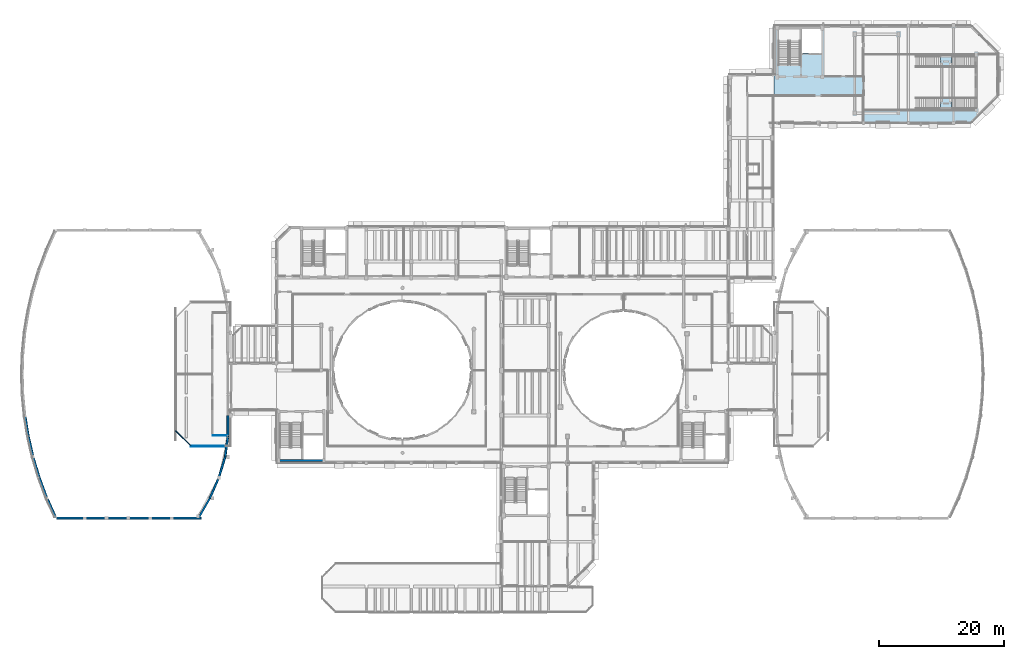
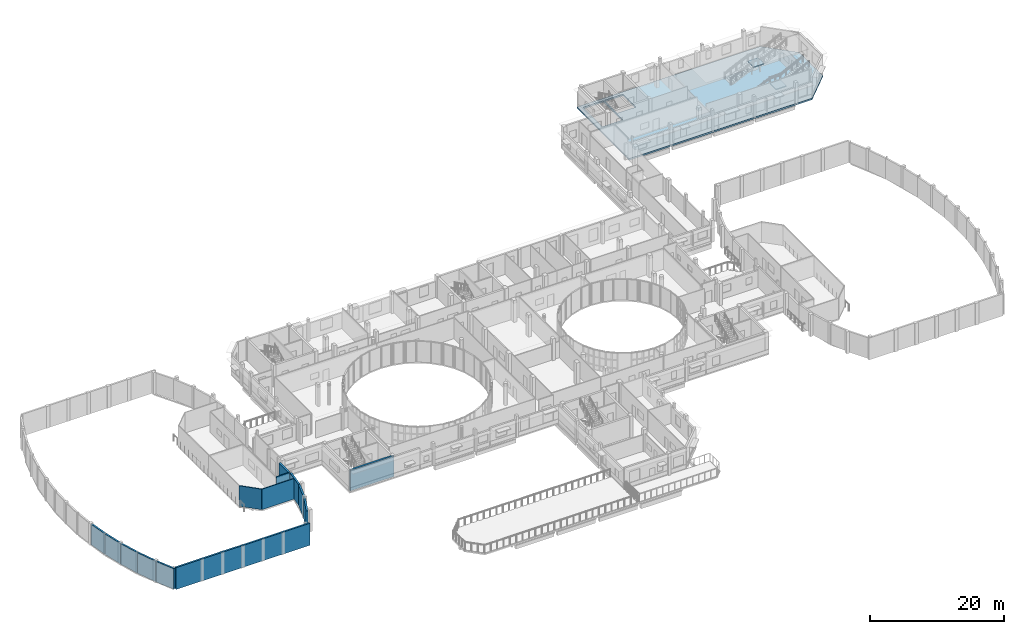
# One storey, part 64 of 92: 15 walls, 3 slabs, 2 elements without a shape of their own.
"""IFC4 building model written with IfcOpenShell, lengths in metres."""

import ifcopenshell
import ifcopenshell.guid

model = None  # the IFC model being written
_history = None  # IfcOwnerHistory: only IFC2X3 demands one
_inside = {}  # id of a spatial element -> (the spatial element, [elements in it])
_under = {}  # id of a project, library or spatial element -> (it, [spatial elements below it])
_declared = {}  # id of a project -> (the project, [libraries it declares])
_typed = {}  # id of a type object -> (the type object, [elements of that type])
_made_of = {}  # id of a material, layer set ... -> (it, [elements and type objects made of it])


def new_model(schema):
    """Start an empty IFC model of exactly this schema.

    Asked for "IFC4X3", IfcOpenShell would pick the latest addendum, in which some entities
    have other attributes; the version numbers below select the first issue.
    IFC2X3 requires an IfcOwnerHistory on every rooted entity: one is made here for all.
    """
    global model, _history
    if schema == "IFC4X3":
        model = ifcopenshell.file(schema_version=(4, 3, 0, 0))
    else:
        model = ifcopenshell.file(schema=schema)
    _inside.clear()
    _under.clear()
    _declared.clear()
    _typed.clear()
    _made_of.clear()
    _history = None
    if model.schema == "IFC2X3":
        org = make("IfcOrganization", Name="unknown")
        user = make(
            "IfcPersonAndOrganization",
            ThePerson=make("IfcPerson", FamilyName="unknown"),
            TheOrganization=org,
        )
        app = make(
            "IfcApplication",
            ApplicationDeveloper=org,
            Version="unknown",
            ApplicationFullName="unknown",
            ApplicationIdentifier="unknown",
        )
        _history = make(
            "IfcOwnerHistory",
            OwningUser=user,
            OwningApplication=app,
            ChangeAction="ADDED",
            CreationDate=0,
        )
    return model


def make(cls, **values):
    """One entity of the class cls with the attributes given. An attribute that is None is left unset."""
    return model.create_entity(
        cls, **{name: value for name, value in values.items() if value is not None}
    )


def rooted(cls, **values):
    """An entity with a GlobalId (a new one), such as an element, a storey or a relation."""
    return make(cls, GlobalId=ifcopenshell.guid.new(), OwnerHistory=_history, **values)


def si_unit(unit_type, name, prefix=None):
    """IfcSIUnit, for example si_unit("LENGTHUNIT", "METRE", prefix="MILLI")."""
    return make("IfcSIUnit", UnitType=unit_type, Prefix=prefix, Name=name)


def assignment(units):
    """IfcUnitAssignment: the units of a project."""
    return None if units is None else make("IfcUnitAssignment", Units=units)


def point(xyz):
    """IfcCartesianPoint."""
    return None if xyz is None else make("IfcCartesianPoint", Coordinates=xyz)


def direction(xyz):
    """IfcDirection."""
    return None if xyz is None else make("IfcDirection", DirectionRatios=xyz)


def frame(location, z_axis=None, x_axis=None):
    """IfcAxis2Placement3D, a coordinate frame: its origin and axes. An axis left out is left unset."""
    return make(
        "IfcAxis2Placement3D",
        Location=point(location),
        Axis=direction(z_axis),
        RefDirection=direction(x_axis),
    )


def frame_2d(location, x_axis=None):
    """IfcAxis2Placement2D, a coordinate frame in the plane: its origin and x axis."""
    return make(
        "IfcAxis2Placement2D", Location=point(location), RefDirection=direction(x_axis)
    )


def origin():
    """The frame at (0, 0, 0) with its axes left unset."""
    return frame((0.0, 0.0, 0.0))


def place(relative_to, where):
    """IfcLocalPlacement: puts the frame where relative to a parent placement (None: the world)."""
    return make(
        "IfcLocalPlacement", PlacementRelTo=relative_to, RelativePlacement=where
    )


def context(
    kind, dimensions, precision=None, world=None, true_north=None, identifier=None
):
    """IfcGeometricRepresentationContext, for example the 3D "Model" context."""
    return make(
        "IfcGeometricRepresentationContext",
        ContextIdentifier=identifier,
        ContextType=kind,
        CoordinateSpaceDimension=dimensions,
        Precision=precision,
        WorldCoordinateSystem=world,
        TrueNorth=true_north,
    )


def subcontext(parent, identifier, kind, view, scale=None):
    """IfcGeometricRepresentationSubContext, for example "Body" below "Model"."""
    return make(
        "IfcGeometricRepresentationSubContext",
        ContextIdentifier=identifier,
        ContextType=kind,
        ParentContext=parent,
        TargetScale=scale,
        TargetView=view,
    )


def project(units=None, contexts=None):
    """IfcProject with its units and contexts."""
    return rooted(
        "IfcProject",
        Name="project",
        RepresentationContexts=contexts,
        UnitsInContext=assignment(units),
    )


def spatial(cls, under=None, at=None, **own):
    """A site, building, storey or space (cls), placed at a placement, below another one or the project."""
    s = rooted(cls, ObjectPlacement=at, **own)
    if under is not None:
        _under.setdefault(under.id(), (under, []))[1].append(s)
    return s


def polyline(points):
    """IfcPolyline through the points."""
    return make("IfcPolyline", Points=[point(p) for p in points])


def profile(cls, at=None, kind="AREA", **sizes):
    """A parametric profile (cls). Its sizes go by their IFC names, for example OverallWidth=200.0."""
    return make(cls, ProfileType=kind, Position=at, **sizes)


def rectangle(**sizes):
    """IfcRectangleProfileDef."""
    return profile("IfcRectangleProfileDef", **sizes)


def outline(outer, holes=None, kind="AREA"):
    """IfcArbitraryClosedProfileDef: a profile drawn as a closed curve; with holes, ...WithVoids."""
    if holes is None:
        return make("IfcArbitraryClosedProfileDef", ProfileType=kind, OuterCurve=outer)
    return make(
        "IfcArbitraryProfileDefWithVoids",
        ProfileType=kind,
        OuterCurve=outer,
        InnerCurves=holes,
    )


def extrude(swept, where, along, depth):
    """IfcExtrudedAreaSolid: the profile swept, set in the frame where, extruded along a direction by depth."""
    return make(
        "IfcExtrudedAreaSolid",
        SweptArea=swept,
        Position=where,
        ExtrudedDirection=direction(along),
        Depth=depth,
    )


def shape(context_of_items, identifier, shape_type, items):
    """IfcShapeRepresentation: the items that make up one representation, for example the "Body"."""
    return make(
        "IfcShapeRepresentation",
        ContextOfItems=context_of_items,
        RepresentationIdentifier=identifier,
        RepresentationType=shape_type,
        Items=items,
    )


def material(Name=None, Category=None):
    """IfcMaterial."""
    return make("IfcMaterial", Name=Name, Category=Category)


def layer(
    of_material, thickness, ventilated=None, Name=None, Category=None, Priority=None
):
    """IfcMaterialLayer: one layer of a wall or slab, of a material (None: an air gap)."""
    return make(
        "IfcMaterialLayer",
        Material=of_material,
        LayerThickness=thickness,
        IsVentilated=ventilated,
        Name=Name,
        Category=Category,
        Priority=Priority,
    )


def layer_set(layers, Name=None):
    """IfcMaterialLayerSet."""
    return make("IfcMaterialLayerSet", MaterialLayers=layers, LayerSetName=Name)


def made_of(thing, what):
    """Note that an element or type object is made of a material, layer set ...; save() writes the relation."""
    if what is not None:
        _made_of.setdefault(what.id(), (what, []))[1].append(thing)
    return thing


def type_object(cls, material=None, **own):
    """A type object (cls), such as IfcWallType, which elements share."""
    return made_of(rooted(cls, **own), material)


def element(
    cls,
    number,
    at=None,
    inside=None,
    cuts=None,
    type_object=None,
    material=None,
    context=None,
    identifier="Body",
    shape_type=None,
    held_by="IfcProductDefinitionShape",
    body=None,
    shapes=None,
    **own,
):
    """One element of the class cls, such as IfcWall. Its Tag is "e" and its number.

    at: its placement. inside: the storey or other place that contains it. cuts: it is an
    opening in that element (IfcRelVoidsElement). A single representation is given by context,
    identifier, shape_type and body (its items); several are given by shapes. held_by: the class
    of the entity that holds the representations. save() writes the other relations.
    """
    e = rooted(cls, Tag="e%d" % number, ObjectPlacement=at, **own)
    if body is not None:
        shapes = [shape(context, identifier, shape_type, body)]
    if shapes is not None:
        e.Representation = make(held_by, Representations=shapes)
    if inside is not None:
        _inside.setdefault(inside.id(), (inside, []))[1].append(e)
    if cuts is not None:
        rooted(
            "IfcRelVoidsElement", RelatingBuildingElement=cuts, RelatedOpeningElement=e
        )
    if type_object is not None:
        _typed.setdefault(type_object.id(), (type_object, []))[1].append(e)
    return made_of(e, material)


def aggregate(whole, parts):
    """IfcRelAggregates: a whole, such as a stair, and the parts it consists of."""
    return rooted("IfcRelAggregates", RelatingObject=whole, RelatedObjects=parts)


def save(model, path):
    """Write the relations noted so far, then the file.

    IfcRelAggregates (storeys below a building ...), IfcRelContainedInSpatialStructure (elements
    in a storey), IfcRelDefinesByType, IfcRelAssociatesMaterial and IfcRelDeclares: one each for
    every whole, place, type object, material and project.
    """
    for whole, parts in _under.values():
        aggregate(whole, parts)
    for where, things in _inside.values():
        rooted(
            "IfcRelContainedInSpatialStructure",
            RelatedElements=things,
            RelatingStructure=where,
        )
    for kind, things in _typed.values():
        rooted("IfcRelDefinesByType", RelatedObjects=things, RelatingType=kind)
    for what, things in _made_of.values():
        rooted("IfcRelAssociatesMaterial", RelatedObjects=things, RelatingMaterial=what)
    for by, libraries in _declared.values():
        rooted("IfcRelDeclares", RelatingContext=by, RelatedDefinitions=libraries)
    model.write(path)


model = new_model("IFC4")

# Units and contexts
model_context = context("Model", 3, precision=1e-05, world=origin(), true_north=direction((0.0, 1.0)))
body_context = subcontext(model_context, "Body", "Model", "MODEL_VIEW")
ifc_project = project(units=[si_unit("LENGTHUNIT", "METRE"), si_unit("AREAUNIT", "SQUARE_METRE"), si_unit("VOLUMEUNIT", "CUBIC_METRE"), si_unit("PLANEANGLEUNIT", "RADIAN"), si_unit("MASSUNIT", "GRAM", prefix="KILO")], contexts=[model_context])

# Site, building, storey
site_placement = place(None, origin())
site = spatial("IfcSite", under=ifc_project, at=site_placement, CompositionType="ELEMENT")
building_placement = place(site_placement, origin())
building = spatial("IfcBuilding", under=site, at=building_placement, Name="Kelanivale Promenade Academy", CompositionType="ELEMENT")
storey_placement = place(building_placement, frame((0.0, 0.0, 8.199951171875)))
storey = spatial("IfcBuildingStorey", under=building, at=storey_placement, Name="L02", CompositionType="ELEMENT", Elevation=8.199951171875)

# Slab
ifc_material_1 = material(Name="Concrete C35/45", Category="concrete")
ifc_layer_1 = layer(ifc_material_1, 0.280029296875)
ifc_layer_set_1 = layer_set([ifc_layer_1], Name="Concrete C35/45")
slab_type_1 = type_object("IfcSlabType", Name="FS-03 Slab 280mm", PredefinedType="FLOOR", material=ifc_layer_set_1)
slab_1_placement = place(storey_placement, frame((0.0, 0.0, -0.280029296875)))
element("IfcSlab", 1, at=slab_1_placement, inside=storey, type_object=slab_type_1, Name="L02 structural slab SLB-L02-V5M", PredefinedType="FLOOR", context=body_context, shape_type="SweptSolid", body=[
    extrude(outline(polyline([(154.43310546875, 96.39990234375), (158.800048828125, 100.76708984375), (158.800048828125, 107.633056640625), (154.43310546875, 112.0), (122.85009765625, 112.0), (122.85009765625, 96.39990234375), (154.43310546875, 96.39990234375)]), holes=[polyline([(130.43505859375, 107.574951171875), (127.284912109375, 107.574951171875), (127.284912109375, 111.43505859375), (130.43505859375, 111.43505859375), (130.43505859375, 107.574951171875)]), polyline([(123.56494140625, 105.655029296875), (123.56494140625, 111.43505859375), (127.06494140625, 111.43505859375), (127.06494140625, 105.655029296875), (123.56494140625, 105.655029296875)])]), origin(), (0.0, 0.0, 1.0), 0.280029296875),
])

# Stair, slab
stair_type = type_object("IfcStairType", Name="ST-T03 Feature promenade dining and library", PredefinedType="STRAIGHT_RUN_STAIR", material=ifc_material_1)
stair_1_placement = place(storey_placement, origin())
stair_1 = element("IfcStair", 2, at=stair_1_placement, inside=storey, type_object=stair_type, Name="Library Reading Room feature stair ST-07", PredefinedType="STRAIGHT_RUN_STAIR")
ifc_layer_2 = layer(ifc_material_1, 0.18994140625)
ifc_layer_set_2 = layer_set([ifc_layer_2], Name="Concrete C35/45")
slab_type_2 = type_object("IfcSlabType", Name="LS-03 Slab 190mm", PredefinedType="LANDING", material=ifc_layer_set_2)
slab_2_placement = place(storey_placement, frame((0.0, 0.0, 1.81005859375)))
slab_2 = element("IfcSlab", 3, at=slab_2_placement, type_object=slab_type_2, Name="ST-07 landing 1", PredefinedType="LANDING", context=body_context, shape_type="SweptSolid", body=[
    extrude(outline(polyline([(149.5, 98.64990234375), (151.300048828125, 98.64990234375), (151.300048828125, 100.449951171875), (149.5, 100.449951171875), (149.5, 98.64990234375)])), origin(), (0.0, 0.0, 1.0), 0.18994140625),
])
aggregate(stair_1, [slab_2])

stair_2_placement = place(storey_placement, origin())
stair_2 = element("IfcStair", 4, at=stair_2_placement, inside=storey, type_object=stair_type, Name="Library Reading Room feature stair ST-08", PredefinedType="STRAIGHT_RUN_STAIR")
slab_3_placement = place(storey_placement, frame((0.0, 0.0, 1.81005859375)))
slab_3 = element("IfcSlab", 5, at=slab_3_placement, type_object=slab_type_2, Name="ST-08 landing 1", PredefinedType="LANDING", context=body_context, shape_type="SweptSolid", body=[
    extrude(outline(polyline([(149.5, 105.35009765625), (151.300048828125, 105.35009765625), (151.300048828125, 107.14990234375), (149.5, 107.14990234375), (149.5, 105.35009765625)])), origin(), (0.0, 0.0, 1.0), 0.18994140625),
])
aggregate(stair_2, [slab_3])

# Walls
ifc_material_2 = material(Name="Concrete C40/50", Category="concrete")
ifc_layer_3 = layer(ifc_material_2, 0.330078125)
ifc_layer_set_3 = layer_set([ifc_layer_3], Name="Concrete C40/50")
wall_type_1 = type_object("IfcWallType", Name="CW-S1 Wall 330mm", PredefinedType="SHEAR", material=ifc_layer_set_3)
wall_1_placement = place(storey_placement, frame((43.43505859375, 42.39990234375, 0.0), z_axis=(0.0, 0.0, 1.0), x_axis=(1.0, 0.0, 0.0)))
element("IfcWall", 6, at=wall_1_placement, inside=storey, type_object=wall_type_1, Name="CORE-6 RC shear wall S L02", PredefinedType="SHEAR", context=body_context, shape_type="SweptSolid", body=[
    extrude(rectangle(XDim=7.530029296875, YDim=0.330078125, at=frame_2d((3.76513671875, 0.0))), origin(), (0.0, 0.0, 1.0), 3.780029296875),
])
ifc_material_3 = material(Name="Insulated terracotta-clad masonry wall 300 mm", Category="masonry")
ifc_layer_4 = layer(ifc_material_3, 0.300048828125)
ifc_layer_set_4 = layer_set([ifc_layer_4], Name="Insulated terracotta-clad masonry wall 300 mm")
wall_type_2 = type_object("IfcWallType", Name="EW-01 Wall 300mm", PredefinedType="SOLIDWALL", material=ifc_layer_set_4)
wall_2_placement = place(storey_placement, frame((6.5029296875, 36.31396484375, 0.0), z_axis=(0.0, 0.0, 1.0), x_axis=(0.414382257429, -0.910102930842, 0.0)))
element("IfcWall", 7, at=wall_2_placement, inside=storey, type_object=wall_type_2, Name="Sports Hall Crescent Pavilion curved terracotta wall L02", PredefinedType="SOLIDWALL", context=body_context, shape_type="SweptSolid", body=[
    extrude(rectangle(XDim=3.3017578125, YDim=0.300048828125, at=frame_2d((1.65087890625, 0.0))), origin(), (0.0, 0.0, 1.0), 3.7451171875),
])
wall_3_placement = place(storey_placement, frame((5.260986328125, 39.62890625, 0.0), z_axis=(0.0, 0.0, 1.0), x_axis=(0.350836219137, -0.936436835746, 0.0)))
element("IfcWall", 8, at=wall_3_placement, inside=storey, type_object=wall_type_2, Name="Sports Hall Crescent Pavilion curved terracotta wall L02", PredefinedType="SOLIDWALL", context=body_context, shape_type="SweptSolid", body=[
    extrude(rectangle(XDim=3.5400390625, YDim=0.300048828125, at=frame_2d((1.77001953125, 0.0))), origin(), (0.0, 0.0, 1.0), 3.7451171875),
])
wall_4_placement = place(storey_placement, frame((4.26806640625, 42.943115234375, 0.0), z_axis=(0.0, 0.0, 1.0), x_axis=(0.286991798892, -0.957933039084, 0.0)))
element("IfcWall", 9, at=wall_4_placement, inside=storey, type_object=wall_type_2, Name="Sports Hall Crescent Pavilion curved terracotta wall L02", PredefinedType="SOLIDWALL", context=body_context, shape_type="SweptSolid", body=[
    extrude(rectangle(XDim=3.459716796875, YDim=0.300048828125, at=frame_2d((1.72998046875, 0.0))), origin(), (0.0, 0.0, 1.0), 3.7451171875),
])
wall_5_placement = place(storey_placement, frame((3.509033203125, 46.257080078125, 0.0), z_axis=(0.0, 0.0, 1.0), x_axis=(0.223259599234, -0.974759022195, 0.0)))
element("IfcWall", 10, at=wall_5_placement, inside=storey, type_object=wall_type_2, Name="Sports Hall Crescent Pavilion curved terracotta wall L02", PredefinedType="SOLIDWALL", context=body_context, shape_type="SweptSolid", body=[
    extrude(rectangle(XDim=3.399658203125, YDim=0.300048828125, at=frame_2d((1.69970703125, 0.0))), origin(), (0.0, 0.0, 1.0), 3.7451171875),
])
wall_6_placement = place(storey_placement, frame((2.97412109375, 49.571044921875, 0.0), z_axis=(0.0, 0.0, 1.0), x_axis=(0.159349054769, -0.987222304623, 0.0)))
element("IfcWall", 11, at=wall_6_placement, inside=storey, type_object=wall_type_2, Name="Sports Hall Crescent Pavilion curved terracotta wall L02", PredefinedType="SOLIDWALL", context=body_context, shape_type="SweptSolid", body=[
    extrude(rectangle(XDim=3.35693359375, YDim=0.300048828125, at=frame_2d((1.678466796875, 0.0))), origin(), (0.0, 0.0, 1.0), 3.7451171875),
])
wall_7_placement = place(storey_placement, frame((8.011962890625, 33.14990234375, 0.0), z_axis=(0.0, 0.0, 1.0), x_axis=(1.0, 0.0, 0.0)))
element("IfcWall", 12, at=wall_7_placement, inside=storey, type_object=wall_type_2, Name="Sports Hall Crescent Pavilion gable wall L02", PredefinedType="SOLIDWALL", context=body_context, shape_type="SweptSolid", body=[
    extrude(rectangle(XDim=23.137939453125, YDim=0.300048828125, at=frame_2d((11.56884765625, 0.0))), origin(), (0.0, 0.0, 1.0), 4.0),
])
wall_8_placement = place(storey_placement, frame((30.819091796875, 33.294921875, 0.0), z_axis=(0.0, 0.0, 1.0), x_axis=(0.497392560198, 0.867525585248, 0.0)))
element("IfcWall", 13, at=wall_8_placement, inside=storey, type_object=wall_type_2, Name="Sports Hall Crescent Pavilion inner crescent wall L02", PredefinedType="SOLIDWALL", context=body_context, shape_type="SweptSolid", body=[
    extrude(rectangle(XDim=3.47998046875, YDim=0.300048828125, at=frame_2d((1.739990234375, 0.0))), origin(), (0.0, 0.0, 1.0), 3.780029296875),
])
wall_9_placement = place(storey_placement, frame((32.550048828125, 36.31396484375, 0.0), z_axis=(0.0, 0.0, 1.0), x_axis=(0.400740958437, 0.916191401526, 0.0)))
element("IfcWall", 14, at=wall_9_placement, inside=storey, type_object=wall_type_2, Name="Sports Hall Crescent Pavilion inner crescent wall L02", PredefinedType="SOLIDWALL", context=body_context, shape_type="SweptSolid", body=[
    extrude(rectangle(XDim=3.6181640625, YDim=0.300048828125, at=frame_2d((1.80908203125, 0.0))), origin(), (0.0, 0.0, 1.0), 3.7451171875),
])
wall_10_placement = place(storey_placement, frame((34.0, 39.62890625, 0.0), z_axis=(0.0, 0.0, 1.0), x_axis=(0.288868004026, 0.957368934241, 0.0)))
element("IfcWall", 15, at=wall_10_placement, inside=storey, type_object=wall_type_2, Name="Sports Hall Crescent Pavilion inner crescent wall L02", PredefinedType="SOLIDWALL", context=body_context, shape_type="SweptSolid", body=[
    extrude(rectangle(XDim=3.461669921875, YDim=0.300048828125, at=frame_2d((1.73095703125, 0.0))), origin(), (0.0, 0.0, 1.0), 3.7451171875),
])
wall_11_placement = place(storey_placement, frame((35.0, 42.943115234375, 0.0), z_axis=(0.0, 0.0, 1.0), x_axis=(0.134539839792, 0.990908185206, 0.0)))
element("IfcWall", 16, at=wall_11_placement, inside=storey, type_object=wall_type_2, Name="Sports Hall Crescent Pavilion inner crescent wall L02", PredefinedType="SOLIDWALL", context=body_context, shape_type="SweptSolid", body=[
    extrude(rectangle(XDim=3.344482421875, YDim=0.300048828125, at=frame_2d((1.67236328125, 0.0))), origin(), (0.0, 0.0, 1.0), 3.7451171875),
])
wall_12_placement = place(storey_placement, frame((35.449951171875, 46.257080078125, 0.0), z_axis=(0.0, 0.0, 1.0), x_axis=(0.0, 1.0, 0.0)))
element("IfcWall", 17, at=wall_12_placement, inside=storey, type_object=wall_type_2, Name="Sports Hall Crescent Pavilion inner crescent wall L02", PredefinedType="SOLIDWALL", context=body_context, shape_type="SweptSolid", body=[
    extrude(rectangle(XDim=3.31396484375, YDim=0.300048828125, at=frame_2d((1.656982421875, 0.0))), origin(), (0.0, 0.0, 1.0), 3.505126953125),
])
ifc_material_4 = material(Name="Acoustic double-stud gypsum board partition 140 mm", Category="masonry")
ifc_layer_5 = layer(ifc_material_4, 0.139892578125)
ifc_layer_set_5 = layer_set([ifc_layer_5], Name="Acoustic double-stud gypsum board partition 140 mm")
wall_type_3 = type_object("IfcWallType", Name="IW-04 Wall 140mm", PredefinedType="PARTITIONING", material=ifc_layer_set_5)
wall_13_placement = place(storey_placement, frame((27.069091796875, 47.135986328125, 0.0), z_axis=(0.0, 0.0, 1.0), x_axis=(0.707071776767, -0.707141783873, 0.0)))
element("IfcWall", 18, at=wall_13_placement, inside=storey, type_object=wall_type_3, Name="L02 partition Sports Conditioning Studio", PredefinedType="PARTITIONING", context=body_context, shape_type="SweptSolid", body=[
    extrude(rectangle(XDim=3.4873046875, YDim=0.139892578125, at=frame_2d((1.74365234375, 0.0))), origin(), (0.0, 0.0, 1.0), 3.755126953125),
])
wall_14_placement = place(storey_placement, frame((29.532958984375, 44.669921875, 0.0), z_axis=(0.0, 0.0, 1.0), x_axis=(1.0, 0.0, 0.0)))
element("IfcWall", 19, at=wall_14_placement, inside=storey, type_object=wall_type_3, Name="L02 partition Sports Conditioning Studio", PredefinedType="PARTITIONING", context=body_context, shape_type="SweptSolid", body=[
    extrude(rectangle(XDim=5.589111328125, YDim=0.139892578125, at=frame_2d((2.79443359375, 0.0))), origin(), (0.0, 0.0, 1.0), 3.755126953125),
])
wall_15_placement = place(storey_placement, frame((35.302001953125, 46.3701171875, 0.0), z_axis=(0.0, 0.0, 1.0), x_axis=(-1.0, 0.0, 0.0)))
element("IfcWall", 20, at=wall_15_placement, inside=storey, type_object=wall_type_3, Name="L02 partition Sports Conditioning Studio", PredefinedType="PARTITIONING", context=body_context, shape_type="SweptSolid", body=[
    extrude(rectangle(XDim=2.27197265625, YDim=0.139892578125, at=frame_2d((1.135986328125, 0.0))), origin(), (0.0, 0.0, 1.0), 3.755126953125),
])

save(model, "model.ifc")
